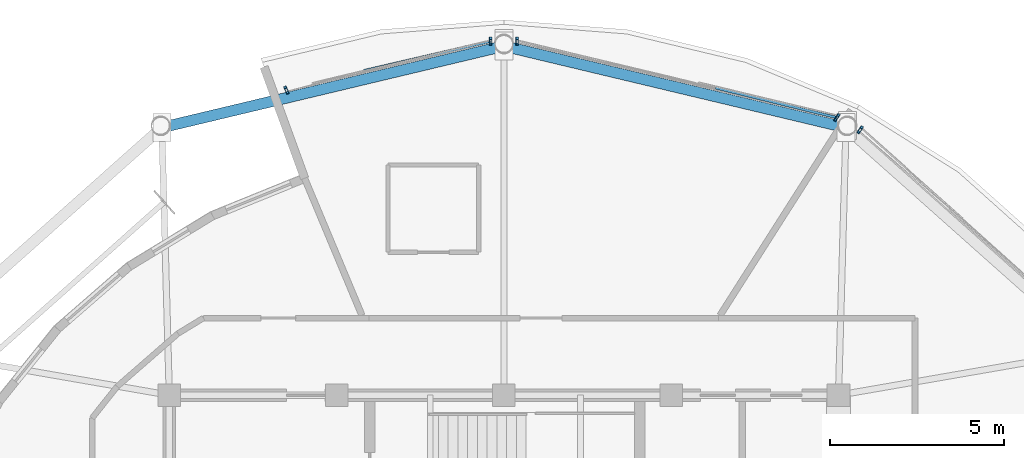
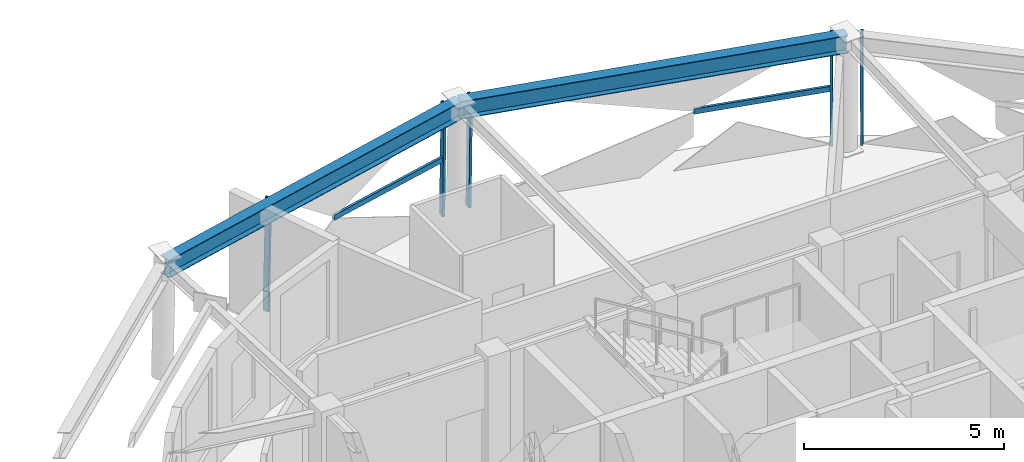
# One storey, part 5 of 14: 7 members, 2 beams, 3 elements without a shape of their own.
"""IFC4 building model written with IfcOpenShell, lengths in metres."""

import ifcopenshell
import ifcopenshell.guid

model = None  # the IFC model being written
_history = None  # IfcOwnerHistory: only IFC2X3 demands one
_inside = {}  # id of a spatial element -> (the spatial element, [elements in it])
_under = {}  # id of a project, library or spatial element -> (it, [spatial elements below it])
_declared = {}  # id of a project -> (the project, [libraries it declares])
_typed = {}  # id of a type object -> (the type object, [elements of that type])
_made_of = {}  # id of a material, layer set ... -> (it, [elements and type objects made of it])


def new_model(schema):
    """Start an empty IFC model of exactly this schema.

    Asked for "IFC4X3", IfcOpenShell would pick the latest addendum, in which some entities
    have other attributes; the version numbers below select the first issue.
    IFC2X3 requires an IfcOwnerHistory on every rooted entity: one is made here for all.
    """
    global model, _history
    if schema == "IFC4X3":
        model = ifcopenshell.file(schema_version=(4, 3, 0, 0))
    else:
        model = ifcopenshell.file(schema=schema)
    _inside.clear()
    _under.clear()
    _declared.clear()
    _typed.clear()
    _made_of.clear()
    _history = None
    if model.schema == "IFC2X3":
        org = make("IfcOrganization", Name="unknown")
        user = make(
            "IfcPersonAndOrganization",
            ThePerson=make("IfcPerson", FamilyName="unknown"),
            TheOrganization=org,
        )
        app = make(
            "IfcApplication",
            ApplicationDeveloper=org,
            Version="unknown",
            ApplicationFullName="unknown",
            ApplicationIdentifier="unknown",
        )
        _history = make(
            "IfcOwnerHistory",
            OwningUser=user,
            OwningApplication=app,
            ChangeAction="ADDED",
            CreationDate=0,
        )
    return model


def make(cls, **values):
    """One entity of the class cls with the attributes given. An attribute that is None is left unset."""
    return model.create_entity(
        cls, **{name: value for name, value in values.items() if value is not None}
    )


def rooted(cls, **values):
    """An entity with a GlobalId (a new one), such as an element, a storey or a relation."""
    return make(cls, GlobalId=ifcopenshell.guid.new(), OwnerHistory=_history, **values)


def si_unit(unit_type, name, prefix=None):
    """IfcSIUnit, for example si_unit("LENGTHUNIT", "METRE", prefix="MILLI")."""
    return make("IfcSIUnit", UnitType=unit_type, Prefix=prefix, Name=name)


def assignment(units):
    """IfcUnitAssignment: the units of a project."""
    return None if units is None else make("IfcUnitAssignment", Units=units)


def point(xyz):
    """IfcCartesianPoint."""
    return None if xyz is None else make("IfcCartesianPoint", Coordinates=xyz)


def direction(xyz):
    """IfcDirection."""
    return None if xyz is None else make("IfcDirection", DirectionRatios=xyz)


def frame(location, z_axis=None, x_axis=None):
    """IfcAxis2Placement3D, a coordinate frame: its origin and axes. An axis left out is left unset."""
    return make(
        "IfcAxis2Placement3D",
        Location=point(location),
        Axis=direction(z_axis),
        RefDirection=direction(x_axis),
    )


def frame_2d(location, x_axis=None):
    """IfcAxis2Placement2D, a coordinate frame in the plane: its origin and x axis."""
    return make(
        "IfcAxis2Placement2D", Location=point(location), RefDirection=direction(x_axis)
    )


def origin():
    """The frame at (0, 0, 0) with its axes left unset."""
    return frame((0.0, 0.0, 0.0))


def origin_2d():
    """The frame at (0, 0) in the plane with its x axis left unset."""
    return frame_2d((0.0, 0.0))


def place(relative_to, where):
    """IfcLocalPlacement: puts the frame where relative to a parent placement (None: the world)."""
    return make(
        "IfcLocalPlacement", PlacementRelTo=relative_to, RelativePlacement=where
    )


def context(
    kind, dimensions, precision=None, world=None, true_north=None, identifier=None
):
    """IfcGeometricRepresentationContext, for example the 3D "Model" context."""
    return make(
        "IfcGeometricRepresentationContext",
        ContextIdentifier=identifier,
        ContextType=kind,
        CoordinateSpaceDimension=dimensions,
        Precision=precision,
        WorldCoordinateSystem=world,
        TrueNorth=true_north,
    )


def subcontext(parent, identifier, kind, view, scale=None):
    """IfcGeometricRepresentationSubContext, for example "Body" below "Model"."""
    return make(
        "IfcGeometricRepresentationSubContext",
        ContextIdentifier=identifier,
        ContextType=kind,
        ParentContext=parent,
        TargetScale=scale,
        TargetView=view,
    )


def project(units=None, contexts=None):
    """IfcProject with its units and contexts."""
    return rooted(
        "IfcProject",
        Name="project",
        RepresentationContexts=contexts,
        UnitsInContext=assignment(units),
    )


def spatial(cls, under=None, at=None, **own):
    """A site, building, storey or space (cls), placed at a placement, below another one or the project."""
    s = rooted(cls, ObjectPlacement=at, **own)
    if under is not None:
        _under.setdefault(under.id(), (under, []))[1].append(s)
    return s


def profile(cls, at=None, kind="AREA", **sizes):
    """A parametric profile (cls). Its sizes go by their IFC names, for example OverallWidth=200.0."""
    return make(cls, ProfileType=kind, Position=at, **sizes)


def hollow_rectangle(**sizes):
    """IfcRectangleHollowProfileDef."""
    return profile("IfcRectangleHollowProfileDef", **sizes)


def i_section(**sizes):
    """IfcIShapeProfileDef."""
    return profile("IfcIShapeProfileDef", **sizes)


def extrude(swept, where, along, depth):
    """IfcExtrudedAreaSolid: the profile swept, set in the frame where, extruded along a direction by depth."""
    return make(
        "IfcExtrudedAreaSolid",
        SweptArea=swept,
        Position=where,
        ExtrudedDirection=direction(along),
        Depth=depth,
    )


def shape(context_of_items, identifier, shape_type, items):
    """IfcShapeRepresentation: the items that make up one representation, for example the "Body"."""
    return make(
        "IfcShapeRepresentation",
        ContextOfItems=context_of_items,
        RepresentationIdentifier=identifier,
        RepresentationType=shape_type,
        Items=items,
    )


def material(Name=None, Category=None):
    """IfcMaterial."""
    return make("IfcMaterial", Name=Name, Category=Category)


def layer(
    of_material, thickness, ventilated=None, Name=None, Category=None, Priority=None
):
    """IfcMaterialLayer: one layer of a wall or slab, of a material (None: an air gap)."""
    return make(
        "IfcMaterialLayer",
        Material=of_material,
        LayerThickness=thickness,
        IsVentilated=ventilated,
        Name=Name,
        Category=Category,
        Priority=Priority,
    )


def layer_set(layers, Name=None):
    """IfcMaterialLayerSet."""
    return make("IfcMaterialLayerSet", MaterialLayers=layers, LayerSetName=Name)


def material_profile(
    of_material, cross_section, Name=None, Category=None, Priority=None
):
    """IfcMaterialProfile: a cross section and its material."""
    return make(
        "IfcMaterialProfile",
        Name=Name,
        Material=of_material,
        Profile=cross_section,
        Priority=Priority,
        Category=Category,
    )


def profile_set(profiles, Name=None, composite=None):
    """IfcMaterialProfileSet."""
    return make(
        "IfcMaterialProfileSet",
        Name=Name,
        MaterialProfiles=profiles,
        CompositeProfile=composite,
    )


def made_of(thing, what):
    """Note that an element or type object is made of a material, layer set ...; save() writes the relation."""
    if what is not None:
        _made_of.setdefault(what.id(), (what, []))[1].append(thing)
    return thing


def type_object(cls, material=None, **own):
    """A type object (cls), such as IfcWallType, which elements share."""
    return made_of(rooted(cls, **own), material)


def element(
    cls,
    number,
    at=None,
    inside=None,
    cuts=None,
    type_object=None,
    material=None,
    context=None,
    identifier="Body",
    shape_type=None,
    held_by="IfcProductDefinitionShape",
    body=None,
    shapes=None,
    **own,
):
    """One element of the class cls, such as IfcWall. Its Tag is "e" and its number.

    at: its placement. inside: the storey or other place that contains it. cuts: it is an
    opening in that element (IfcRelVoidsElement). A single representation is given by context,
    identifier, shape_type and body (its items); several are given by shapes. held_by: the class
    of the entity that holds the representations. save() writes the other relations.
    """
    e = rooted(cls, Tag="e%d" % number, ObjectPlacement=at, **own)
    if body is not None:
        shapes = [shape(context, identifier, shape_type, body)]
    if shapes is not None:
        e.Representation = make(held_by, Representations=shapes)
    if inside is not None:
        _inside.setdefault(inside.id(), (inside, []))[1].append(e)
    if cuts is not None:
        rooted(
            "IfcRelVoidsElement", RelatingBuildingElement=cuts, RelatedOpeningElement=e
        )
    if type_object is not None:
        _typed.setdefault(type_object.id(), (type_object, []))[1].append(e)
    return made_of(e, material)


def aggregate(whole, parts):
    """IfcRelAggregates: a whole, such as a stair, and the parts it consists of."""
    return rooted("IfcRelAggregates", RelatingObject=whole, RelatedObjects=parts)


def save(model, path):
    """Write the relations noted so far, then the file.

    IfcRelAggregates (storeys below a building ...), IfcRelContainedInSpatialStructure (elements
    in a storey), IfcRelDefinesByType, IfcRelAssociatesMaterial and IfcRelDeclares: one each for
    every whole, place, type object, material and project.
    """
    for whole, parts in _under.values():
        aggregate(whole, parts)
    for where, things in _inside.values():
        rooted(
            "IfcRelContainedInSpatialStructure",
            RelatedElements=things,
            RelatingStructure=where,
        )
    for kind, things in _typed.values():
        rooted("IfcRelDefinesByType", RelatedObjects=things, RelatingType=kind)
    for what, things in _made_of.values():
        rooted("IfcRelAssociatesMaterial", RelatedObjects=things, RelatingMaterial=what)
    for by, libraries in _declared.values():
        rooted("IfcRelDeclares", RelatingContext=by, RelatedDefinitions=libraries)
    model.write(path)


model = new_model("IFC4")

# Units and contexts
model_context = context("Model", 3, precision=1e-05, world=origin(), true_north=direction((0.0, 1.0)))
body_context = subcontext(model_context, "Body", "Model", "MODEL_VIEW")
ifc_project = project(units=[si_unit("LENGTHUNIT", "METRE"), si_unit("AREAUNIT", "SQUARE_METRE"), si_unit("VOLUMEUNIT", "CUBIC_METRE"), si_unit("PLANEANGLEUNIT", "RADIAN"), si_unit("MASSUNIT", "GRAM", prefix="KILO")], contexts=[model_context])

# Site, building, storey
site_placement = place(None, origin())
site = spatial("IfcSite", under=ifc_project, at=site_placement, CompositionType="ELEMENT")
building_placement = place(site_placement, origin())
building = spatial("IfcBuilding", under=site, at=building_placement, Name="Vantalir Tower", CompositionType="ELEMENT")
storey_placement = place(building_placement, frame((0.0, 0.0, 271.35009765625)))
storey = spatial("IfcBuildingStorey", under=building, at=storey_placement, Name="L68", CompositionType="ELEMENT", Elevation=271.35009765625)

# Beams
ifc_material_1 = material(Name="Steel S460", Category="steel")
ifc_material_profile_1 = material_profile(ifc_material_1, i_section(OverallWidth=0.31201171875, OverallDepth=0.5419921875, WebThickness=0.0126953125, FlangeThickness=0.020263671875, at=origin_2d()), Name="Steel S460")
ifc_profile_set_1 = profile_set([ifc_material_profile_1], Name="Steel S460")
beam_type = type_object("IfcBeamType", Name="BM-RG-533x312", PredefinedType="USERDEFINED", material=ifc_profile_set_1)
for number, where, z_axis, x_axis, name in (
    (1, (41.31494140625, 40.1279296875, 3.298828125), (-0.972734774168, 0.231920372379, 0.0), (-0.231920372379, -0.972734774168, 0.0), "L68 Circumferential Ring Girder 03"),
    (2, (31.5, 42.468017578125, 3.298828125), (-0.972734774168, -0.231920372379, 0.0), (0.231920372379, -0.972734774168, 0.0), "L68 Circumferential Ring Girder 04"),
):
    element("IfcBeam", number, at=place(storey_placement, frame(where, z_axis=z_axis, x_axis=x_axis)), inside=storey, type_object=beam_type, Name=name, ObjectType="GIRDER", PredefinedType="USERDEFINED", context=body_context, shape_type="SweptSolid", body=[
        extrude(i_section(OverallWidth=0.31201171875, OverallDepth=0.5419921875, WebThickness=0.0126953125, FlangeThickness=0.020263671875, at=origin_2d()), origin(), (0.0, 0.0, 1.0), 10.090087890625),
    ])

# Curtain wall, member
ifc_material_2 = material(Name="Champagne-silver PVDF aluminium and double-silver Low-E glass", Category="aluminium")
ifc_layer = layer(ifc_material_2, 0.219970703125)
ifc_layer_set = layer_set([ifc_layer], Name="Champagne-silver PVDF aluminium and double-silver Low-E glass")
curtain_wall_type = type_object("IfcCurtainWallType", Name="CW-DIAMOND-Z4", PredefinedType="USERDEFINED", material=ifc_layer_set)
curtain_wall_1_placement = place(storey_placement, origin())
curtain_wall_1 = element("IfcCurtainWall", 3, at=curtain_wall_1_placement, inside=storey, type_object=curtain_wall_type, Name="L68 Quilted Pyramid-Diamond Curtain Wall S02", ObjectType="UNITISED CURTAIN WALL", PredefinedType="USERDEFINED")
ifc_material_3 = material(Name="Champagne-silver PVDF aluminium 6063-T6", Category="aluminium")
ifc_material_profile_2 = material_profile(ifc_material_3, hollow_rectangle(XDim=0.070068359375, YDim=0.1650390625, WallThickness=0.00390625, at=origin_2d()), Name="Champagne-silver PVDF aluminium 6063-T6")
ifc_profile_set_2 = profile_set([ifc_material_profile_2], Name="Champagne-silver PVDF aluminium 6063-T6")
member_type_1 = type_object("IfcMemberType", Name="CWM-165x70", PredefinedType="MULLION", material=ifc_profile_set_2)
member_1_placement = place(storey_placement, frame((41.740966796875, 40.094970703125, 0.044921875), z_axis=(-0.011502954924, -0.017815552138, 0.999775118779), x_axis=(0.840102178973, -0.54242817855, 0.0)))
member_1 = element("IfcMember", 4, at=member_1_placement, type_object=member_type_1, Name="CW-L68-S02 Mullion 2", PredefinedType="MULLION", context=body_context, shape_type="SweptSolid", body=[
    extrude(hollow_rectangle(XDim=0.070068359375, YDim=0.1650390625, WallThickness=0.00390625, at=origin_2d()), origin(), (0.0, 0.0, 1.0), 3.480712890625),
])
aggregate(curtain_wall_1, [member_1])

# Curtain wall, members
curtain_wall_2_placement = place(storey_placement, origin())
curtain_wall_2 = element("IfcCurtainWall", 5, at=curtain_wall_2_placement, inside=storey, type_object=curtain_wall_type, Name="L68 Quilted Pyramid-Diamond Curtain Wall S03", ObjectType="UNITISED CURTAIN WALL", PredefinedType="USERDEFINED")
member_2_placement = place(storey_placement, frame((41.071044921875, 40.445068359375, 0.044921875), z_axis=(-0.011502954924, -0.017815552138, 0.999775118779), x_axis=(0.840102178973, -0.54242817855, 0.0)))
member_2 = element("IfcMember", 6, at=member_2_placement, type_object=member_type_1, Name="CW-L68-S03 Mullion 1", PredefinedType="MULLION", context=body_context, shape_type="SweptSolid", body=[
    extrude(hollow_rectangle(XDim=0.070068359375, YDim=0.1650390625, WallThickness=0.00390625, at=origin_2d()), origin(), (0.0, 0.0, 1.0), 3.480712890625),
])
member_3_placement = place(storey_placement, frame((31.87890625, 42.637939453125, 0.044921875), z_axis=(0.0, -0.02041106894, 0.999791672432), x_axis=(1.0, 0.0, 0.0)))
member_3 = element("IfcMember", 7, at=member_3_placement, type_object=member_type_1, Name="CW-L68-S03 Mullion 2", PredefinedType="MULLION", context=body_context, shape_type="SweptSolid", body=[
    extrude(hollow_rectangle(XDim=0.070068359375, YDim=0.1650390625, WallThickness=0.00390625, at=origin_2d()), origin(), (0.0, 0.0, 1.0), 3.480712890625),
])

curtain_wall_3_placement = place(storey_placement, origin())
curtain_wall_3 = element("IfcCurtainWall", 8, at=curtain_wall_3_placement, inside=storey, type_object=curtain_wall_type, Name="L68 Quilted Pyramid-Diamond Curtain Wall S04", ObjectType="UNITISED CURTAIN WALL", PredefinedType="USERDEFINED")
member_4_placement = place(storey_placement, frame((31.12109375, 42.637939453125, 0.044921875), z_axis=(0.0, -0.02041106894, 0.999791672432), x_axis=(1.0, 0.0, 0.0)))
member_4 = element("IfcMember", 9, at=member_4_placement, type_object=member_type_1, Name="CW-L68-S04 Mullion 1", PredefinedType="MULLION", context=body_context, shape_type="SweptSolid", body=[
    extrude(hollow_rectangle(XDim=0.070068359375, YDim=0.1650390625, WallThickness=0.00390625, at=origin_2d()), origin(), (0.0, 0.0, 1.0), 3.480712890625),
])
member_5_placement = place(storey_placement, frame((25.24609375, 41.236083984375, 0.044921875), z_axis=(0.007715548863, -0.018727741332, 0.999794849962), x_axis=(0.924606364272, 0.380923970299, 0.0)))
member_5 = element("IfcMember", 10, at=member_5_placement, type_object=member_type_1, Name="CW-L68-S04 Mullion 2", PredefinedType="MULLION", context=body_context, shape_type="SweptSolid", body=[
    extrude(hollow_rectangle(XDim=0.070068359375, YDim=0.1650390625, WallThickness=0.00390625, at=origin_2d()), origin(), (0.0, 0.0, 1.0), 3.480712890625),
])

# Member
ifc_material_profile_3 = material_profile(ifc_material_3, hollow_rectangle(XDim=0.074951171875, YDim=0.159912109375, WallThickness=0.00390625, at=origin_2d()), Name="Champagne-silver PVDF aluminium 6063-T6")
ifc_profile_set_3 = profile_set([ifc_material_profile_3], Name="Champagne-silver PVDF aluminium 6063-T6")
member_type_2 = type_object("IfcMemberType", Name="CWT-160x75", PredefinedType="USERDEFINED", material=ifc_profile_set_3)
member_6_placement = place(storey_placement, frame((41.051025390625, 40.4140625, 1.784912109375), z_axis=(-0.971136976479, 0.238522478846, 0.0), x_axis=(-0.238522478846, -0.971136976479, 0.0)))
member_6 = element("IfcMember", 11, at=member_6_placement, type_object=member_type_2, Name="CW-L68-S03 Pyramid Fold Ridge Transom", ObjectType="TRANSOM", PredefinedType="USERDEFINED", context=body_context, shape_type="SweptSolid", body=[
    extrude(hollow_rectangle(XDim=0.074951171875, YDim=0.159912109375, WallThickness=0.00390625, at=origin_2d()), origin(), (0.0, 0.0, 1.0), 3.580322265625),
])

aggregate(curtain_wall_2, [member_2, member_3, member_6])

member_7_placement = place(storey_placement, frame((31.12109375, 42.60302734375, 1.784912109375), z_axis=(-0.974158329296, -0.22586622028, 0.0), x_axis=(0.22586622028, -0.974158329296, 0.0)))
member_7 = element("IfcMember", 12, at=member_7_placement, type_object=member_type_2, Name="CW-L68-S04 Pyramid Fold Ridge Transom", ObjectType="TRANSOM", PredefinedType="USERDEFINED", context=body_context, shape_type="SweptSolid", body=[
    extrude(hollow_rectangle(XDim=0.074951171875, YDim=0.159912109375, WallThickness=0.00390625, at=origin_2d()), origin(), (0.0, 0.0, 1.0), 3.73681640625),
])

aggregate(curtain_wall_3, [member_4, member_5, member_7])

save(model, "model.ifc")
